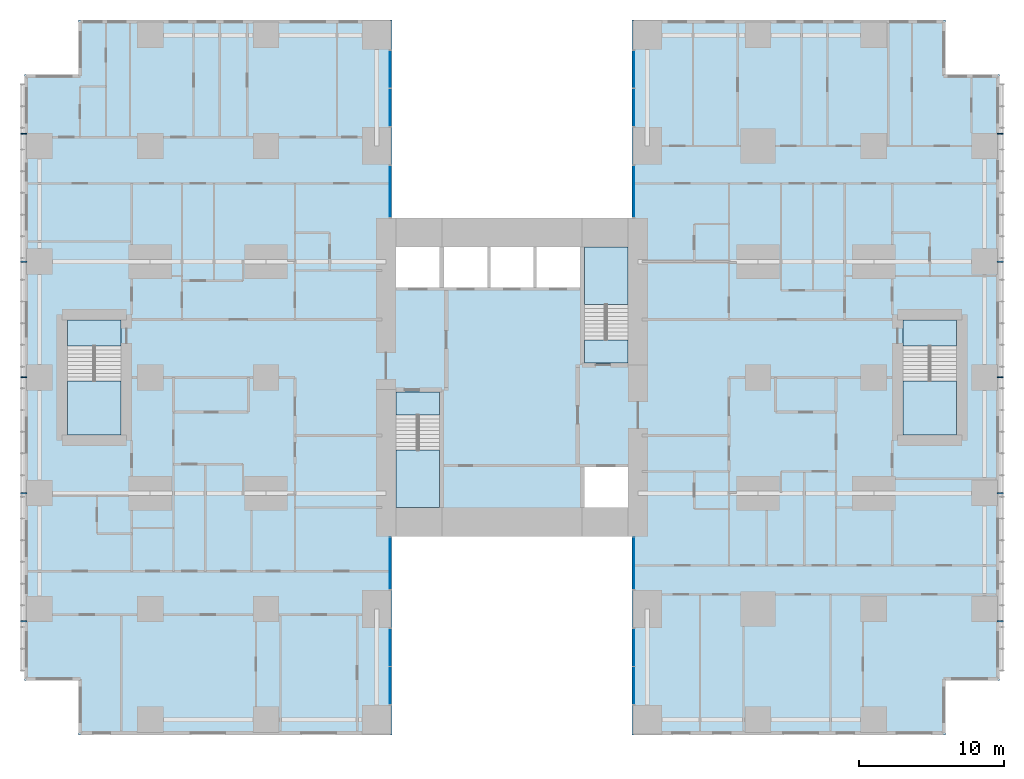
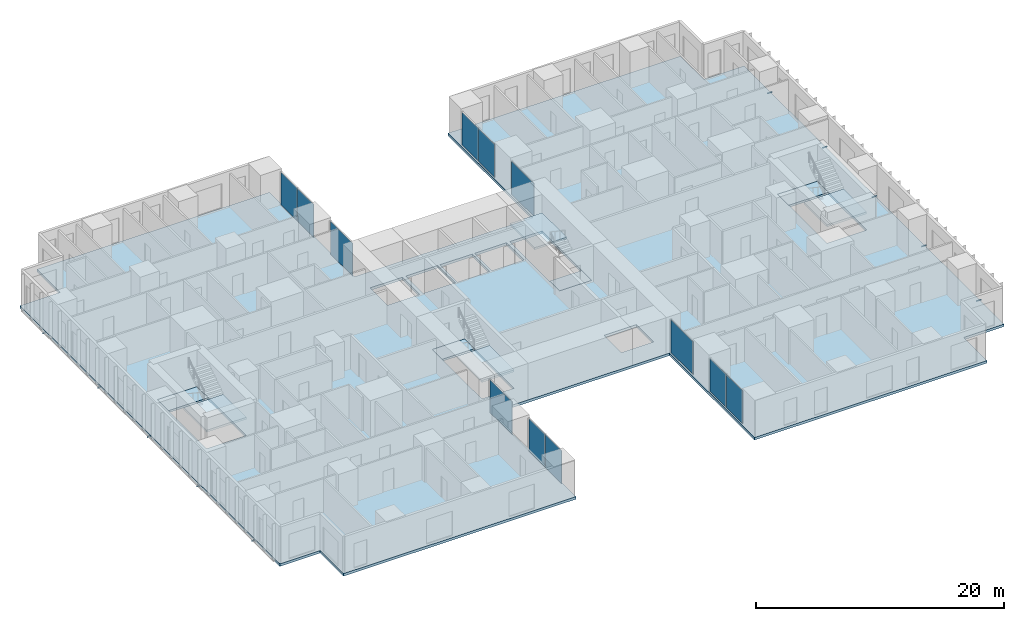
# One storey, part 7 of 20: 12 plates, 10 members, 9 slabs, 12 elements without a shape of their own.
"""IFC4 building model written with IfcOpenShell, lengths in metres."""

from ifc_helpers import new_model, si_unit, direction, frame, origin, origin_2d, place, context, subcontext, project, spatial, polyline, rectangle, hollow_rectangle, outline, extrude, material, layer, layer_set, material_profile, profile_set, type_object, element, aggregate, save


model = new_model("IFC4")

# Units and contexts
model_context = context("Model", 3, precision=1e-05, world=origin(), true_north=direction((0.0, 1.0)))
body_context = subcontext(model_context, "Body", "Model", "MODEL_VIEW")
ifc_project = project(units=[si_unit("LENGTHUNIT", "METRE"), si_unit("AREAUNIT", "SQUARE_METRE"), si_unit("VOLUMEUNIT", "CUBIC_METRE"), si_unit("PLANEANGLEUNIT", "RADIAN"), si_unit("MASSUNIT", "GRAM", prefix="KILO")], contexts=[model_context])

# Site, building, storey
site_placement = place(None, origin())
site = spatial("IfcSite", under=ifc_project, at=site_placement, CompositionType="ELEMENT")
building_placement = place(site_placement, origin())
building = spatial("IfcBuilding", under=site, at=building_placement, Name="Cleftline Residences", CompositionType="ELEMENT")
storey_placement = place(building_placement, frame((0.0, 0.0, 211.0)))
storey = spatial("IfcBuildingStorey", under=building, at=storey_placement, Name="L55", CompositionType="ELEMENT", Elevation=211.0)

# Members
ifc_material_1 = material(Name="Steel S355, hot-dip galvanised", Category="steel")
ifc_material_profile = material_profile(ifc_material_1, hollow_rectangle(XDim=0.10009765625, YDim=0.10009765625, WallThickness=0.008056640625, InnerFilletRadius=0.008056640625, OuterFilletRadius=0.011962890625, at=origin_2d()))
ifc_profile_set = profile_set([ifc_material_profile], Name="Steel S355, hot-dip galvanised")
member_type = type_object("IfcMemberType", Name="BAGUETTE BRACKET SHS 100X100X8", PredefinedType="USERDEFINED", material=ifc_profile_set)
for number, where, z_axis, x_axis, name in (
    (1, (66.5, 7.14990234375, -0.14990234375), (1.0, 0.0, 0.0), (0.0, 1.0, 0.0), "Baguette bracket"),
    (2, (66.5, 16.0, -0.14990234375), (1.0, 0.0, 0.0), (0.0, 1.0, 0.0), "Baguette bracket"),
    (3, (66.5, 24.0, -0.14990234375), (1.0, 0.0, 0.0), (0.0, 1.0, 0.0), "Baguette bracket"),
    (4, (66.5, 32.0, -0.14990234375), (1.0, 0.0, 0.0), (0.0, 1.0, 0.0), "Baguette bracket"),
    (5, (66.5, 40.85009765625, -0.14990234375), (1.0, 0.0, 0.0), (0.0, 1.0, 0.0), "Baguette bracket"),
    (6, (-0.5, 40.85009765625, -0.14990234375), (-1.0, 0.0, 0.0), (0.0, -1.0, 0.0), "Baguette bracket"),
    (7, (-0.5, 32.0, -0.14990234375), (-1.0, 0.0, 0.0), (0.0, -1.0, 0.0), "Baguette bracket"),
    (8, (-0.5, 24.0, -0.14990234375), (-1.0, 0.0, 0.0), (0.0, -1.0, 0.0), "Baguette bracket"),
    (9, (-0.5, 16.0, -0.14990234375), (-1.0, 0.0, 0.0), (0.0, -1.0, 0.0), "Baguette bracket"),
    (10, (-0.5, 7.14990234375, -0.14990234375), (-1.0, 0.0, 0.0), (0.0, -1.0, 0.0), "Baguette bracket"),
):
    element("IfcMember", number, at=place(storey_placement, frame(where, z_axis=z_axis, x_axis=x_axis)), inside=storey, type_object=member_type, Name=name, ObjectType="BAGUETTE BRACKET", PredefinedType="USERDEFINED", context=body_context, shape_type="SweptSolid", body=[
        extrude(hollow_rectangle(XDim=0.10009765625, YDim=0.10009765625, WallThickness=0.008056640625, InnerFilletRadius=0.008056640625, OuterFilletRadius=0.011962890625, at=origin_2d()), origin(), (0.0, 0.0, 1.0), 0.449951171875),
    ])

# Curtain wall, plates
ifc_material_2 = material(Name="Aluminium framed curtain wall", Category="aluminium")
ifc_layer_1 = layer(ifc_material_2, 0.199951171875)
ifc_layer_set_1 = layer_set([ifc_layer_1], Name="CW1 CLEFT GLAZING")
curtain_wall_type = type_object("IfcCurtainWallType", Name="CW1 CLEFT GLAZING", PredefinedType="NOTDEFINED", material=ifc_layer_set_1)
curtain_wall_1_placement = place(storey_placement, origin())
curtain_wall_1 = element("IfcCurtainWall", 11, at=curtain_wall_1_placement, inside=storey, type_object=curtain_wall_type, Name="Curtain wall CW1", PredefinedType="NOTDEFINED")
ifc_material_3 = material(Name="Laminated clear glass", Category="glass")
ifc_layer_2 = layer(ifc_material_3, 0.028076171875)
ifc_layer_set_2 = layer_set([ifc_layer_2], Name="CW1 GLASS PANEL")
plate_type = type_object("IfcPlateType", Name="CW1 GLASS PANEL", PredefinedType="CURTAIN_PANEL", material=ifc_layer_set_2)
plate_1_placement = place(storey_placement, frame((24.574951171875, 2.702392578125, 0.06005859375), z_axis=(0.0, 0.0, 1.0), x_axis=(0.0, 1.0, 0.0)))
plate_1 = element("IfcPlate", 12, at=plate_1_placement, type_object=plate_type, Name="CW1 panel 1.1", PredefinedType="CURTAIN_PANEL", context=body_context, shape_type="SweptSolid", body=[
    extrude(rectangle(XDim=2.5849609375, YDim=0.028076171875, at=origin_2d()), origin(), (0.0, 0.0, 1.0), 3.22998046875),
])
plate_2_placement = place(storey_placement, frame((24.574951171875, 5.347412109375, 0.06005859375), z_axis=(0.0, 0.0, 1.0), x_axis=(0.0, 1.0, 0.0)))
plate_2 = element("IfcPlate", 13, at=plate_2_placement, type_object=plate_type, Name="CW1 panel 2.1", PredefinedType="CURTAIN_PANEL", context=body_context, shape_type="SweptSolid", body=[
    extrude(rectangle(XDim=2.5849609375, YDim=0.028076171875, at=origin_2d()), origin(), (0.0, 0.0, 1.0), 3.22998046875),
])
aggregate(curtain_wall_1, [plate_1, plate_2])

# Curtain wall, plate
curtain_wall_2_placement = place(storey_placement, origin())
curtain_wall_2 = element("IfcCurtainWall", 14, at=curtain_wall_2_placement, inside=storey, type_object=curtain_wall_type, Name="Curtain wall CW1", PredefinedType="NOTDEFINED")
plate_3_placement = place(storey_placement, frame((24.574951171875, 11.14990234375, 0.06005859375), z_axis=(0.0, 0.0, 1.0), x_axis=(0.0, 1.0, 0.0)))
plate_3 = element("IfcPlate", 15, at=plate_3_placement, type_object=plate_type, Name="CW1 panel 1.1", PredefinedType="CURTAIN_PANEL", context=body_context, shape_type="SweptSolid", body=[
    extrude(rectangle(XDim=3.580078125, YDim=0.028076171875, at=origin_2d()), origin(), (0.0, 0.0, 1.0), 3.22998046875),
])
aggregate(curtain_wall_2, [plate_3])

curtain_wall_3_placement = place(storey_placement, origin())
curtain_wall_3 = element("IfcCurtainWall", 16, at=curtain_wall_3_placement, inside=storey, type_object=curtain_wall_type, Name="Curtain wall CW1", PredefinedType="NOTDEFINED")
plate_4_placement = place(storey_placement, frame((41.425048828125, 11.14990234375, 0.06005859375), z_axis=(0.0, 0.0, 1.0), x_axis=(0.0, -1.0, 0.0)))
plate_4 = element("IfcPlate", 17, at=plate_4_placement, type_object=plate_type, Name="CW1 panel 1.1", PredefinedType="CURTAIN_PANEL", context=body_context, shape_type="SweptSolid", body=[
    extrude(rectangle(XDim=3.580078125, YDim=0.028076171875, at=origin_2d()), origin(), (0.0, 0.0, 1.0), 3.22998046875),
])
aggregate(curtain_wall_3, [plate_4])

# Curtain wall, plates
curtain_wall_4_placement = place(storey_placement, origin())
curtain_wall_4 = element("IfcCurtainWall", 18, at=curtain_wall_4_placement, inside=storey, type_object=curtain_wall_type, Name="Curtain wall CW1", PredefinedType="NOTDEFINED")
plate_5_placement = place(storey_placement, frame((41.425048828125, 5.347412109375, 0.06005859375), z_axis=(0.0, 0.0, 1.0), x_axis=(0.0, -1.0, 0.0)))
plate_5 = element("IfcPlate", 19, at=plate_5_placement, type_object=plate_type, Name="CW1 panel 1.1", PredefinedType="CURTAIN_PANEL", context=body_context, shape_type="SweptSolid", body=[
    extrude(rectangle(XDim=2.5849609375, YDim=0.028076171875, at=origin_2d()), origin(), (0.0, 0.0, 1.0), 3.22998046875),
])
plate_6_placement = place(storey_placement, frame((41.425048828125, 2.702392578125, 0.06005859375), z_axis=(0.0, 0.0, 1.0), x_axis=(0.0, -1.0, 0.0)))
plate_6 = element("IfcPlate", 20, at=plate_6_placement, type_object=plate_type, Name="CW1 panel 2.1", PredefinedType="CURTAIN_PANEL", context=body_context, shape_type="SweptSolid", body=[
    extrude(rectangle(XDim=2.5849609375, YDim=0.028076171875, at=origin_2d()), origin(), (0.0, 0.0, 1.0), 3.22998046875),
])
aggregate(curtain_wall_4, [plate_5, plate_6])

curtain_wall_5_placement = place(storey_placement, origin())
curtain_wall_5 = element("IfcCurtainWall", 21, at=curtain_wall_5_placement, inside=storey, type_object=curtain_wall_type, Name="Curtain wall CW1", PredefinedType="NOTDEFINED")
plate_7_placement = place(storey_placement, frame((41.425048828125, 45.297607421875, 0.06005859375), z_axis=(0.0, 0.0, 1.0), x_axis=(0.0, -1.0, 0.0)))
plate_7 = element("IfcPlate", 22, at=plate_7_placement, type_object=plate_type, Name="CW1 panel 1.1", PredefinedType="CURTAIN_PANEL", context=body_context, shape_type="SweptSolid", body=[
    extrude(rectangle(XDim=2.5849609375, YDim=0.028076171875, at=origin_2d()), origin(), (0.0, 0.0, 1.0), 3.22998046875),
])
plate_8_placement = place(storey_placement, frame((41.425048828125, 42.652587890625, 0.06005859375), z_axis=(0.0, 0.0, 1.0), x_axis=(0.0, -1.0, 0.0)))
plate_8 = element("IfcPlate", 23, at=plate_8_placement, type_object=plate_type, Name="CW1 panel 2.1", PredefinedType="CURTAIN_PANEL", context=body_context, shape_type="SweptSolid", body=[
    extrude(rectangle(XDim=2.5849609375, YDim=0.028076171875, at=origin_2d()), origin(), (0.0, 0.0, 1.0), 3.22998046875),
])
aggregate(curtain_wall_5, [plate_7, plate_8])

# Curtain wall, plate
curtain_wall_6_placement = place(storey_placement, origin())
curtain_wall_6 = element("IfcCurtainWall", 24, at=curtain_wall_6_placement, inside=storey, type_object=curtain_wall_type, Name="Curtain wall CW1", PredefinedType="NOTDEFINED")
plate_9_placement = place(storey_placement, frame((41.425048828125, 36.85009765625, 0.06005859375), z_axis=(0.0, 0.0, 1.0), x_axis=(0.0, -1.0, 0.0)))
plate_9 = element("IfcPlate", 25, at=plate_9_placement, type_object=plate_type, Name="CW1 panel 1.1", PredefinedType="CURTAIN_PANEL", context=body_context, shape_type="SweptSolid", body=[
    extrude(rectangle(XDim=3.580078125, YDim=0.028076171875, at=origin_2d()), origin(), (0.0, 0.0, 1.0), 3.22998046875),
])
aggregate(curtain_wall_6, [plate_9])

curtain_wall_7_placement = place(storey_placement, origin())
curtain_wall_7 = element("IfcCurtainWall", 26, at=curtain_wall_7_placement, inside=storey, type_object=curtain_wall_type, Name="Curtain wall CW1", PredefinedType="NOTDEFINED")
plate_10_placement = place(storey_placement, frame((24.574951171875, 36.85009765625, 0.06005859375), z_axis=(0.0, 0.0, 1.0), x_axis=(0.0, 1.0, 0.0)))
plate_10 = element("IfcPlate", 27, at=plate_10_placement, type_object=plate_type, Name="CW1 panel 1.1", PredefinedType="CURTAIN_PANEL", context=body_context, shape_type="SweptSolid", body=[
    extrude(rectangle(XDim=3.580078125, YDim=0.028076171875, at=origin_2d()), origin(), (0.0, 0.0, 1.0), 3.22998046875),
])
aggregate(curtain_wall_7, [plate_10])

# Curtain wall, plates
curtain_wall_8_placement = place(storey_placement, origin())
curtain_wall_8 = element("IfcCurtainWall", 28, at=curtain_wall_8_placement, inside=storey, type_object=curtain_wall_type, Name="Curtain wall CW1", PredefinedType="NOTDEFINED")
plate_11_placement = place(storey_placement, frame((24.574951171875, 42.652587890625, 0.06005859375), z_axis=(0.0, 0.0, 1.0), x_axis=(0.0, 1.0, 0.0)))
plate_11 = element("IfcPlate", 29, at=plate_11_placement, type_object=plate_type, Name="CW1 panel 1.1", PredefinedType="CURTAIN_PANEL", context=body_context, shape_type="SweptSolid", body=[
    extrude(rectangle(XDim=2.5849609375, YDim=0.028076171875, at=origin_2d()), origin(), (0.0, 0.0, 1.0), 3.22998046875),
])
plate_12_placement = place(storey_placement, frame((24.574951171875, 45.297607421875, 0.06005859375), z_axis=(0.0, 0.0, 1.0), x_axis=(0.0, 1.0, 0.0)))
plate_12 = element("IfcPlate", 30, at=plate_12_placement, type_object=plate_type, Name="CW1 panel 2.1", PredefinedType="CURTAIN_PANEL", context=body_context, shape_type="SweptSolid", body=[
    extrude(rectangle(XDim=2.5849609375, YDim=0.028076171875, at=origin_2d()), origin(), (0.0, 0.0, 1.0), 3.22998046875),
])
aggregate(curtain_wall_8, [plate_11, plate_12])

# Slab
ifc_material_4 = material(Name="Concrete B45", Category="concrete")
ifc_layer_3 = layer(ifc_material_4, 0.25)
ifc_layer_set_3 = layer_set([ifc_layer_3], Name="FLOOR SLAB 250")
slab_type_1 = type_object("IfcSlabType", Name="FLOOR SLAB 250", PredefinedType="FLOOR", material=ifc_layer_set_3)
slab_1_placement = place(storey_placement, frame((0.0, 0.0, -0.25)))
element("IfcSlab", 31, at=slab_1_placement, inside=storey, type_object=slab_type_1, Name="Floor slab L55", PredefinedType="FLOOR", context=body_context, shape_type="SweptSolid", body=[
    extrude(outline(polyline([(24.699951171875, 13.0), (41.300048828125, 13.0), (41.300048828125, -0.699951171875), (62.949951171875, -0.699951171875), (62.949951171875, 3.050048828125), (66.699951171875, 3.050048828125), (66.699951171875, 44.949951171875), (62.949951171875, 44.949951171875), (62.949951171875, 48.699951171875), (41.300048828125, 48.699951171875), (41.300048828125, 35.0), (24.699951171875, 35.0), (24.699951171875, 48.699951171875), (3.050048828125, 48.699951171875), (3.050048828125, 44.949951171875), (-0.699951171875, 44.949951171875), (-0.699951171875, 3.050048828125), (3.050048828125, 3.050048828125), (3.050048828125, -0.699951171875), (24.699951171875, -0.699951171875), (24.699951171875, 13.0)]), holes=[polyline([(28.0, 15.0), (28.0, 23.0), (25.0, 23.0), (25.0, 15.0), (28.0, 15.0)]), polyline([(41.0, 25.0), (41.0, 33.0), (38.0, 33.0), (38.0, 25.0), (41.0, 25.0)]), polyline([(28.0, 30.199951171875), (28.0, 33.0), (25.0, 33.0), (25.0, 30.199951171875), (28.0, 30.199951171875)]), polyline([(41.0, 15.0), (41.0, 17.800048828125), (38.0, 17.800048828125), (38.0, 15.0), (41.0, 15.0)]), polyline([(31.300048828125, 30.199951171875), (31.300048828125, 33.0), (28.300048828125, 33.0), (28.300048828125, 30.199951171875), (31.300048828125, 30.199951171875)]), polyline([(34.5, 30.199951171875), (34.5, 33.0), (31.5, 33.0), (31.5, 30.199951171875), (34.5, 30.199951171875)]), polyline([(37.699951171875, 30.199951171875), (37.699951171875, 33.0), (34.699951171875, 33.0), (34.699951171875, 30.199951171875), (37.699951171875, 30.199951171875)]), polyline([(63.72509765625, 20.02490234375), (63.72509765625, 27.97509765625), (60.02490234375, 27.97509765625), (60.02490234375, 20.02490234375), (63.72509765625, 20.02490234375)]), polyline([(5.97509765625, 20.02490234375), (5.97509765625, 27.97509765625), (2.27490234375, 27.97509765625), (2.27490234375, 20.02490234375), (5.97509765625, 20.02490234375)])]), origin(), (0.0, 0.0, 1.0), 0.25),
])

# Stair, slabs
ifc_material_5 = material(Name="Concrete B45, stone treads", Category="masonry")
stair_type_1 = type_object("IfcStairType", Name="STAIR A 1450 WIDE 180 RISER", PredefinedType="HALF_TURN_STAIR", material=ifc_material_5)
stair_1_placement = place(storey_placement, origin())
stair_1 = element("IfcStair", 32, at=stair_1_placement, inside=storey, type_object=stair_type_1, Name="Stair A L55", PredefinedType="HALF_TURN_STAIR")
ifc_material_6 = material(Name="Concrete B45", Category="concrete")
ifc_layer_4 = layer(ifc_material_6, 0.199951171875)
ifc_layer_set_4 = layer_set([ifc_layer_4], Name="STAIR LANDING 200")
slab_type_2 = type_object("IfcSlabType", Name="STAIR LANDING 200", PredefinedType="LANDING", material=ifc_layer_set_4)
slab_2_placement = place(storey_placement, frame((0.0, 0.0, -0.199951171875)))
slab_2 = element("IfcSlab", 33, at=slab_2_placement, type_object=slab_type_2, Name="ST-A landing 1", PredefinedType="LANDING", context=body_context, shape_type="SweptSolid", body=[
    extrude(outline(polyline([(25.0, 21.39990234375), (28.0, 21.39990234375), (28.0, 23.0), (25.0, 23.0), (25.0, 21.39990234375)])), origin(), (0.0, 0.0, 1.0), 0.199951171875),
])
slab_3_placement = place(storey_placement, frame((0.0, 0.0, 1.60009765625)))
slab_3 = element("IfcSlab", 34, at=slab_3_placement, type_object=slab_type_2, Name="ST-A landing 2", PredefinedType="LANDING", context=body_context, shape_type="SweptSolid", body=[
    extrude(outline(polyline([(25.0, 15.0), (28.0, 15.0), (28.0, 18.969970703125), (25.0, 18.969970703125), (25.0, 15.0)])), origin(), (0.0, 0.0, 1.0), 0.199951171875),
])
aggregate(stair_1, [slab_2, slab_3])

ifc_material_7 = material(Name="Concrete B45, stone treads", Category="masonry")
stair_type_2 = type_object("IfcStairType", Name="STAIR B 1450 WIDE 180 RISER", PredefinedType="HALF_TURN_STAIR", material=ifc_material_7)
stair_2_placement = place(storey_placement, origin())
stair_2 = element("IfcStair", 35, at=stair_2_placement, inside=storey, type_object=stair_type_2, Name="Stair B L55", PredefinedType="HALF_TURN_STAIR")
slab_4_placement = place(storey_placement, frame((0.0, 0.0, -0.199951171875)))
slab_4 = element("IfcSlab", 36, at=slab_4_placement, type_object=slab_type_2, Name="ST-B landing 1", PredefinedType="LANDING", context=body_context, shape_type="SweptSolid", body=[
    extrude(outline(polyline([(38.0, 25.0), (41.0, 25.0), (41.0, 26.60009765625), (38.0, 26.60009765625), (38.0, 25.0)])), origin(), (0.0, 0.0, 1.0), 0.199951171875),
])
slab_5_placement = place(storey_placement, frame((0.0, 0.0, 1.60009765625)))
slab_5 = element("IfcSlab", 37, at=slab_5_placement, type_object=slab_type_2, Name="ST-B landing 2", PredefinedType="LANDING", context=body_context, shape_type="SweptSolid", body=[
    extrude(outline(polyline([(38.0, 29.030029296875), (41.0, 29.030029296875), (41.0, 33.0), (38.0, 33.0), (38.0, 29.030029296875)])), origin(), (0.0, 0.0, 1.0), 0.199951171875),
])
aggregate(stair_2, [slab_4, slab_5])

ifc_material_8 = material(Name="Concrete B45, stone treads", Category="masonry")
stair_type_3 = type_object("IfcStairType", Name="STAIR E 1800 WIDE 180 RISER", PredefinedType="HALF_TURN_STAIR", material=ifc_material_8)
stair_3_placement = place(storey_placement, origin())
stair_3 = element("IfcStair", 38, at=stair_3_placement, inside=storey, type_object=stair_type_3, Name="Stair E L55", PredefinedType="HALF_TURN_STAIR")
slab_6_placement = place(storey_placement, frame((0.0, 0.0, -0.199951171875)))
slab_6 = element("IfcSlab", 39, at=slab_6_placement, type_object=slab_type_2, Name="ST-E landing 1", PredefinedType="LANDING", context=body_context, shape_type="SweptSolid", body=[
    extrude(outline(polyline([(60.02490234375, 26.175048828125), (63.72509765625, 26.175048828125), (63.72509765625, 27.97509765625), (60.02490234375, 27.97509765625), (60.02490234375, 26.175048828125)])), origin(), (0.0, 0.0, 1.0), 0.199951171875),
])
slab_7_placement = place(storey_placement, frame((0.0, 0.0, 1.60009765625)))
slab_7 = element("IfcSlab", 40, at=slab_7_placement, type_object=slab_type_2, Name="ST-E landing 2", PredefinedType="LANDING", context=body_context, shape_type="SweptSolid", body=[
    extrude(outline(polyline([(60.02490234375, 20.02490234375), (63.72509765625, 20.02490234375), (63.72509765625, 23.7451171875), (60.02490234375, 23.7451171875), (60.02490234375, 20.02490234375)])), origin(), (0.0, 0.0, 1.0), 0.199951171875),
])
aggregate(stair_3, [slab_6, slab_7])

ifc_material_9 = material(Name="Concrete B45, stone treads", Category="masonry")
stair_type_4 = type_object("IfcStairType", Name="STAIR W 1800 WIDE 180 RISER", PredefinedType="HALF_TURN_STAIR", material=ifc_material_9)
stair_4_placement = place(storey_placement, origin())
stair_4 = element("IfcStair", 41, at=stair_4_placement, inside=storey, type_object=stair_type_4, Name="Stair W L55", PredefinedType="HALF_TURN_STAIR")
slab_8_placement = place(storey_placement, frame((0.0, 0.0, -0.199951171875)))
slab_8 = element("IfcSlab", 42, at=slab_8_placement, type_object=slab_type_2, Name="ST-W landing 1", PredefinedType="LANDING", context=body_context, shape_type="SweptSolid", body=[
    extrude(outline(polyline([(2.27490234375, 26.175048828125), (5.97509765625, 26.175048828125), (5.97509765625, 27.97509765625), (2.27490234375, 27.97509765625), (2.27490234375, 26.175048828125)])), origin(), (0.0, 0.0, 1.0), 0.199951171875),
])
slab_9_placement = place(storey_placement, frame((0.0, 0.0, 1.60009765625)))
slab_9 = element("IfcSlab", 43, at=slab_9_placement, type_object=slab_type_2, Name="ST-W landing 2", PredefinedType="LANDING", context=body_context, shape_type="SweptSolid", body=[
    extrude(outline(polyline([(2.27490234375, 20.02490234375), (5.97509765625, 20.02490234375), (5.97509765625, 23.7451171875), (2.27490234375, 23.7451171875), (2.27490234375, 20.02490234375)])), origin(), (0.0, 0.0, 1.0), 0.199951171875),
])
aggregate(stair_4, [slab_8, slab_9])

save(model, "model.ifc")
